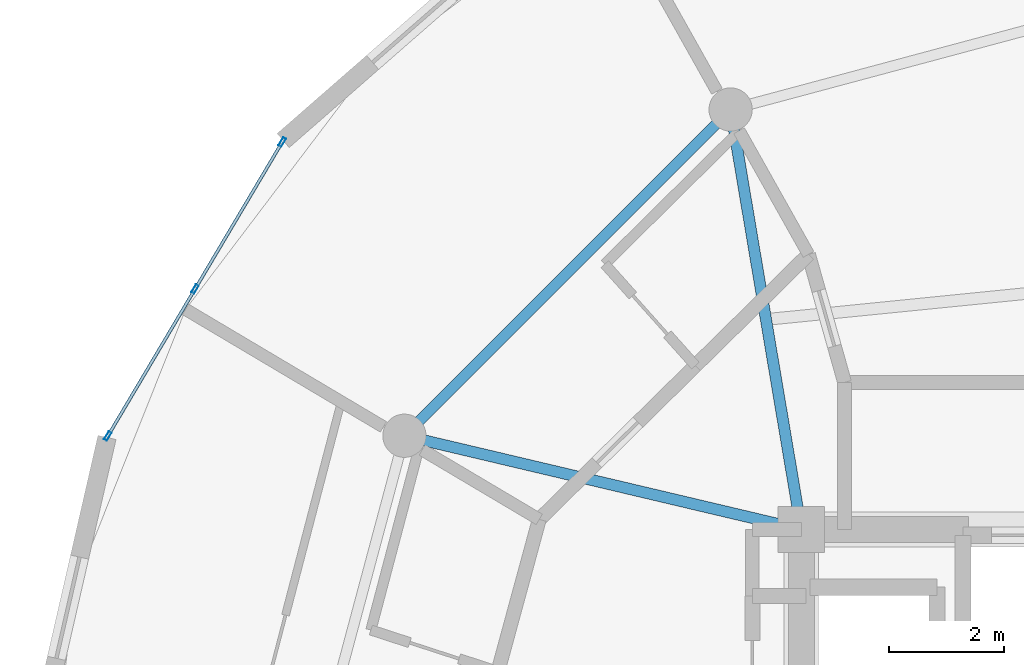
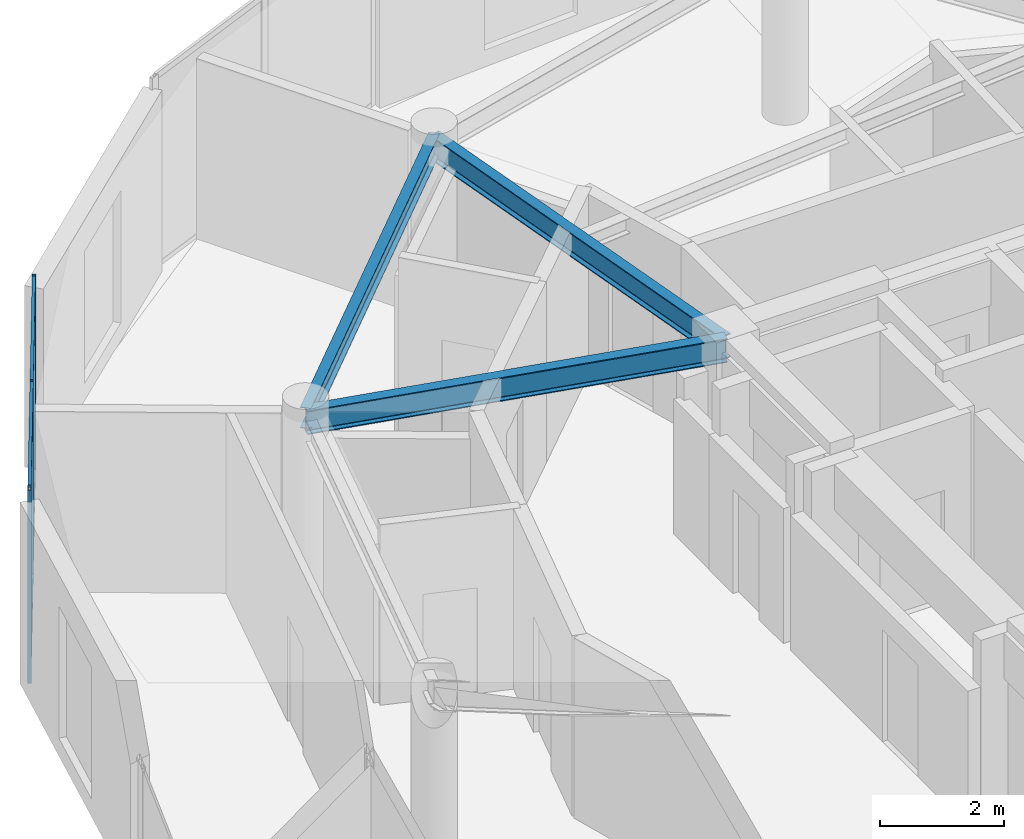
# One storey, part 10 of 22: 7 members, 3 beams, 1 element without a shape of its own.
"""IFC4 building model written with IfcOpenShell, lengths in metres."""

import ifcopenshell
import ifcopenshell.guid

model = None  # the IFC model being written
_history = None  # IfcOwnerHistory: only IFC2X3 demands one
_inside = {}  # id of a spatial element -> (the spatial element, [elements in it])
_under = {}  # id of a project, library or spatial element -> (it, [spatial elements below it])
_declared = {}  # id of a project -> (the project, [libraries it declares])
_typed = {}  # id of a type object -> (the type object, [elements of that type])
_made_of = {}  # id of a material, layer set ... -> (it, [elements and type objects made of it])


def new_model(schema):
    """Start an empty IFC model of exactly this schema.

    Asked for "IFC4X3", IfcOpenShell would pick the latest addendum, in which some entities
    have other attributes; the version numbers below select the first issue.
    IFC2X3 requires an IfcOwnerHistory on every rooted entity: one is made here for all.
    """
    global model, _history
    if schema == "IFC4X3":
        model = ifcopenshell.file(schema_version=(4, 3, 0, 0))
    else:
        model = ifcopenshell.file(schema=schema)
    _inside.clear()
    _under.clear()
    _declared.clear()
    _typed.clear()
    _made_of.clear()
    _history = None
    if model.schema == "IFC2X3":
        org = make("IfcOrganization", Name="unknown")
        user = make(
            "IfcPersonAndOrganization",
            ThePerson=make("IfcPerson", FamilyName="unknown"),
            TheOrganization=org,
        )
        app = make(
            "IfcApplication",
            ApplicationDeveloper=org,
            Version="unknown",
            ApplicationFullName="unknown",
            ApplicationIdentifier="unknown",
        )
        _history = make(
            "IfcOwnerHistory",
            OwningUser=user,
            OwningApplication=app,
            ChangeAction="ADDED",
            CreationDate=0,
        )
    return model


def make(cls, **values):
    """One entity of the class cls with the attributes given. An attribute that is None is left unset."""
    return model.create_entity(
        cls, **{name: value for name, value in values.items() if value is not None}
    )


def rooted(cls, **values):
    """An entity with a GlobalId (a new one), such as an element, a storey or a relation."""
    return make(cls, GlobalId=ifcopenshell.guid.new(), OwnerHistory=_history, **values)


def si_unit(unit_type, name, prefix=None):
    """IfcSIUnit, for example si_unit("LENGTHUNIT", "METRE", prefix="MILLI")."""
    return make("IfcSIUnit", UnitType=unit_type, Prefix=prefix, Name=name)


def assignment(units):
    """IfcUnitAssignment: the units of a project."""
    return None if units is None else make("IfcUnitAssignment", Units=units)


def point(xyz):
    """IfcCartesianPoint."""
    return None if xyz is None else make("IfcCartesianPoint", Coordinates=xyz)


def direction(xyz):
    """IfcDirection."""
    return None if xyz is None else make("IfcDirection", DirectionRatios=xyz)


def frame(location, z_axis=None, x_axis=None):
    """IfcAxis2Placement3D, a coordinate frame: its origin and axes. An axis left out is left unset."""
    return make(
        "IfcAxis2Placement3D",
        Location=point(location),
        Axis=direction(z_axis),
        RefDirection=direction(x_axis),
    )


def frame_2d(location, x_axis=None):
    """IfcAxis2Placement2D, a coordinate frame in the plane: its origin and x axis."""
    return make(
        "IfcAxis2Placement2D", Location=point(location), RefDirection=direction(x_axis)
    )


def origin():
    """The frame at (0, 0, 0) with its axes left unset."""
    return frame((0.0, 0.0, 0.0))


def origin_2d():
    """The frame at (0, 0) in the plane with its x axis left unset."""
    return frame_2d((0.0, 0.0))


def place(relative_to, where):
    """IfcLocalPlacement: puts the frame where relative to a parent placement (None: the world)."""
    return make(
        "IfcLocalPlacement", PlacementRelTo=relative_to, RelativePlacement=where
    )


def context(
    kind, dimensions, precision=None, world=None, true_north=None, identifier=None
):
    """IfcGeometricRepresentationContext, for example the 3D "Model" context."""
    return make(
        "IfcGeometricRepresentationContext",
        ContextIdentifier=identifier,
        ContextType=kind,
        CoordinateSpaceDimension=dimensions,
        Precision=precision,
        WorldCoordinateSystem=world,
        TrueNorth=true_north,
    )


def subcontext(parent, identifier, kind, view, scale=None):
    """IfcGeometricRepresentationSubContext, for example "Body" below "Model"."""
    return make(
        "IfcGeometricRepresentationSubContext",
        ContextIdentifier=identifier,
        ContextType=kind,
        ParentContext=parent,
        TargetScale=scale,
        TargetView=view,
    )


def project(units=None, contexts=None):
    """IfcProject with its units and contexts."""
    return rooted(
        "IfcProject",
        Name="project",
        RepresentationContexts=contexts,
        UnitsInContext=assignment(units),
    )


def spatial(cls, under=None, at=None, **own):
    """A site, building, storey or space (cls), placed at a placement, below another one or the project."""
    s = rooted(cls, ObjectPlacement=at, **own)
    if under is not None:
        _under.setdefault(under.id(), (under, []))[1].append(s)
    return s


def profile(cls, at=None, kind="AREA", **sizes):
    """A parametric profile (cls). Its sizes go by their IFC names, for example OverallWidth=200.0."""
    return make(cls, ProfileType=kind, Position=at, **sizes)


def hollow_rectangle(**sizes):
    """IfcRectangleHollowProfileDef."""
    return profile("IfcRectangleHollowProfileDef", **sizes)


def i_section(**sizes):
    """IfcIShapeProfileDef."""
    return profile("IfcIShapeProfileDef", **sizes)


def extrude(swept, where, along, depth):
    """IfcExtrudedAreaSolid: the profile swept, set in the frame where, extruded along a direction by depth."""
    return make(
        "IfcExtrudedAreaSolid",
        SweptArea=swept,
        Position=where,
        ExtrudedDirection=direction(along),
        Depth=depth,
    )


def shape(context_of_items, identifier, shape_type, items):
    """IfcShapeRepresentation: the items that make up one representation, for example the "Body"."""
    return make(
        "IfcShapeRepresentation",
        ContextOfItems=context_of_items,
        RepresentationIdentifier=identifier,
        RepresentationType=shape_type,
        Items=items,
    )


def source(mapping_origin, context_of_items, identifier, shape_type, items):
    """IfcRepresentationMap: a shape defined once, which mapped items show again and again."""
    return make(
        "IfcRepresentationMap",
        MappingOrigin=mapping_origin,
        MappedRepresentation=shape(context_of_items, identifier, shape_type, items),
    )


def transform(
    local_origin,
    x_axis=None,
    y_axis=None,
    z_axis=None,
    scale=None,
    scale2=None,
    scale3=None,
    uniform=True,
):
    """IfcCartesianTransformationOperator3D, or its non-uniform kind. x_axis, y_axis, z_axis: its Axis1, 2, 3."""
    if uniform:
        return make(
            "IfcCartesianTransformationOperator3D",
            Axis1=direction(x_axis),
            Axis2=direction(y_axis),
            LocalOrigin=point(local_origin),
            Scale=scale,
            Axis3=direction(z_axis),
        )
    return make(
        "IfcCartesianTransformationOperator3DnonUniform",
        Axis1=direction(x_axis),
        Axis2=direction(y_axis),
        LocalOrigin=point(local_origin),
        Scale=scale,
        Axis3=direction(z_axis),
        Scale2=scale2,
        Scale3=scale3,
    )


def mapped(mapping_source, mapping_target):
    """IfcMappedItem: shows the shape of a source again, moved by a transform."""
    return make(
        "IfcMappedItem", MappingSource=mapping_source, MappingTarget=mapping_target
    )


def material(Name=None, Category=None):
    """IfcMaterial."""
    return make("IfcMaterial", Name=Name, Category=Category)


def layer(
    of_material, thickness, ventilated=None, Name=None, Category=None, Priority=None
):
    """IfcMaterialLayer: one layer of a wall or slab, of a material (None: an air gap)."""
    return make(
        "IfcMaterialLayer",
        Material=of_material,
        LayerThickness=thickness,
        IsVentilated=ventilated,
        Name=Name,
        Category=Category,
        Priority=Priority,
    )


def layer_set(layers, Name=None):
    """IfcMaterialLayerSet."""
    return make("IfcMaterialLayerSet", MaterialLayers=layers, LayerSetName=Name)


def material_profile(
    of_material, cross_section, Name=None, Category=None, Priority=None
):
    """IfcMaterialProfile: a cross section and its material."""
    return make(
        "IfcMaterialProfile",
        Name=Name,
        Material=of_material,
        Profile=cross_section,
        Priority=Priority,
        Category=Category,
    )


def profile_set(profiles, Name=None, composite=None):
    """IfcMaterialProfileSet."""
    return make(
        "IfcMaterialProfileSet",
        Name=Name,
        MaterialProfiles=profiles,
        CompositeProfile=composite,
    )


def made_of(thing, what):
    """Note that an element or type object is made of a material, layer set ...; save() writes the relation."""
    if what is not None:
        _made_of.setdefault(what.id(), (what, []))[1].append(thing)
    return thing


def type_object(cls, material=None, **own):
    """A type object (cls), such as IfcWallType, which elements share."""
    return made_of(rooted(cls, **own), material)


def element(
    cls,
    number,
    at=None,
    inside=None,
    cuts=None,
    type_object=None,
    material=None,
    context=None,
    identifier="Body",
    shape_type=None,
    held_by="IfcProductDefinitionShape",
    body=None,
    shapes=None,
    **own,
):
    """One element of the class cls, such as IfcWall. Its Tag is "e" and its number.

    at: its placement. inside: the storey or other place that contains it. cuts: it is an
    opening in that element (IfcRelVoidsElement). A single representation is given by context,
    identifier, shape_type and body (its items); several are given by shapes. held_by: the class
    of the entity that holds the representations. save() writes the other relations.
    """
    e = rooted(cls, Tag="e%d" % number, ObjectPlacement=at, **own)
    if body is not None:
        shapes = [shape(context, identifier, shape_type, body)]
    if shapes is not None:
        e.Representation = make(held_by, Representations=shapes)
    if inside is not None:
        _inside.setdefault(inside.id(), (inside, []))[1].append(e)
    if cuts is not None:
        rooted(
            "IfcRelVoidsElement", RelatingBuildingElement=cuts, RelatedOpeningElement=e
        )
    if type_object is not None:
        _typed.setdefault(type_object.id(), (type_object, []))[1].append(e)
    return made_of(e, material)


def aggregate(whole, parts):
    """IfcRelAggregates: a whole, such as a stair, and the parts it consists of."""
    return rooted("IfcRelAggregates", RelatingObject=whole, RelatedObjects=parts)


def save(model, path):
    """Write the relations noted so far, then the file.

    IfcRelAggregates (storeys below a building ...), IfcRelContainedInSpatialStructure (elements
    in a storey), IfcRelDefinesByType, IfcRelAssociatesMaterial and IfcRelDeclares: one each for
    every whole, place, type object, material and project.
    """
    for whole, parts in _under.values():
        aggregate(whole, parts)
    for where, things in _inside.values():
        rooted(
            "IfcRelContainedInSpatialStructure",
            RelatedElements=things,
            RelatingStructure=where,
        )
    for kind, things in _typed.values():
        rooted("IfcRelDefinesByType", RelatedObjects=things, RelatingType=kind)
    for what, things in _made_of.values():
        rooted("IfcRelAssociatesMaterial", RelatedObjects=things, RelatingMaterial=what)
    for by, libraries in _declared.values():
        rooted("IfcRelDeclares", RelatingContext=by, RelatedDefinitions=libraries)
    model.write(path)


model = new_model("IFC4")

# Units and contexts
model_context = context("Model", 3, precision=1e-05, world=origin(), true_north=direction((0.0, 1.0)))
body_context = subcontext(model_context, "Body", "Model", "MODEL_VIEW")
ifc_project = project(units=[si_unit("LENGTHUNIT", "METRE"), si_unit("AREAUNIT", "SQUARE_METRE"), si_unit("VOLUMEUNIT", "CUBIC_METRE"), si_unit("PLANEANGLEUNIT", "RADIAN"), si_unit("MASSUNIT", "GRAM", prefix="KILO")], contexts=[model_context])

# Site, building, storey
site_placement = place(None, origin())
site = spatial("IfcSite", under=ifc_project, at=site_placement, CompositionType="ELEMENT")
building_placement = place(site_placement, origin())
building = spatial("IfcBuilding", under=site, at=building_placement, Name="Solvirekh Grand Hotel", CompositionType="ELEMENT")
storey_placement = place(building_placement, frame((0.0, 0.0, 243.0)))
storey = spatial("IfcBuildingStorey", under=building, at=storey_placement, Name="L63", CompositionType="ELEMENT", Elevation=243.0)

# Beams
ifc_material_1 = material(Name="Steel S355", Category="steel")
ifc_material_profile_1 = material_profile(ifc_material_1, i_section(OverallWidth=0.194091796875, OverallDepth=0.468994140625, WebThickness=0.010986328125, FlangeThickness=0.01904296875, FilletRadius=0.012939453125, at=origin_2d()), Name="W460X106")
ifc_profile_set_1 = profile_set([ifc_material_profile_1], Name="Steel S355")
beam_type_1 = type_object("IfcBeamType", Name="Beam_Radial_W460H", PredefinedType="BEAM", material=ifc_profile_set_1)
beam_1_placement = place(storey_placement, frame((-6.5, 6.10009765625, 3.3349609375), z_axis=(-0.165954049106, 0.986133486697, 0.0), x_axis=(-0.986133486697, -0.165954049106, 0.0)))
element("IfcBeam", 1, at=beam_1_placement, inside=storey, type_object=beam_type_1, Name="L63 radial floor beam R05", PredefinedType="BEAM", context=body_context, shape_type="SweptSolid", body=[
    extrude(i_section(OverallWidth=0.194091796875, OverallDepth=0.468994140625, WebThickness=0.010986328125, FlangeThickness=0.01904296875, FilletRadius=0.012939453125, at=origin_2d()), origin(), (0.0, 0.0, 1.0), 7.382080078125),
])
beam_2_placement = place(storey_placement, frame((-6.5, 6.10009765625, 3.3349609375), z_axis=(-0.973221147544, 0.229870828888, 0.0), x_axis=(-0.229870828888, -0.973221147544, 0.0)))
element("IfcBeam", 2, at=beam_2_placement, inside=storey, type_object=beam_type_1, Name="L63 radial floor beam R06", PredefinedType="BEAM", context=body_context, shape_type="SweptSolid", body=[
    extrude(i_section(OverallWidth=0.194091796875, OverallDepth=0.468994140625, WebThickness=0.010986328125, FlangeThickness=0.01904296875, FilletRadius=0.012939453125, at=origin_2d()), origin(), (0.0, 0.0, 1.0), 7.069091796875),
])
ifc_material_profile_2 = material_profile(ifc_material_1, i_section(OverallWidth=0.180908203125, OverallDepth=0.4169921875, WebThickness=0.010009765625, FlangeThickness=0.01611328125, FilletRadius=0.011962890625, at=origin_2d()), Name="W410X85")
ifc_profile_set_2 = profile_set([ifc_material_profile_2], Name="Steel S355")
beam_type_2 = type_object("IfcBeamType", Name="Spandrel_Ring_W410", PredefinedType="SPANDREL", material=ifc_profile_set_2)
beam_3_placement = place(storey_placement, frame((-7.72509765625, 13.3798828125, 3.362060546875), z_axis=(-0.707106781187, -0.707106781187, 0.0), x_axis=(0.707106781187, -0.707106781187, 0.0)))
element("IfcBeam", 3, at=beam_3_placement, inside=storey, type_object=beam_type_2, Name="L63 perimeter spandrel beam 5", PredefinedType="SPANDREL", context=body_context, shape_type="SweptSolid", body=[
    extrude(i_section(OverallWidth=0.180908203125, OverallDepth=0.4169921875, WebThickness=0.010009765625, FlangeThickness=0.01611328125, FilletRadius=0.011962890625, at=origin_2d()), origin(), (0.0, 0.0, 1.0), 7.9970703125),
])

# Curtain wall, members
ifc_material_2 = material(Name="Anodized Bronze Aluminium 6063-T6", Category="aluminium")
ifc_layer = layer(ifc_material_2, 0.159912109375)
ifc_layer_set = layer_set([ifc_layer], Name="Anodized Bronze Aluminium 6063-T6")
curtain_wall_type = type_object("IfcCurtainWallType", Name="CW_Sys4_HighZoneFlushBronzeCW", PredefinedType="NOTDEFINED", material=ifc_layer_set)
curtain_wall_placement = place(storey_placement, origin())
curtain_wall = element("IfcCurtainWall", 4, at=curtain_wall_placement, inside=storey, type_object=curtain_wall_type, Name="L63 unitised bronze-glass curtain wall CW-L63-C13", PredefinedType="NOTDEFINED")
ifc_material_profile_3 = material_profile(ifc_material_2, hollow_rectangle(XDim=0.06005859375, YDim=0.159912109375, WallThickness=0.0048828125, at=origin_2d()), Name="ALU RHS 160X60X5")
ifc_profile_set_3 = profile_set([ifc_material_profile_3], Name="Anodized Bronze Aluminium 6063-T6")
member_type_1 = type_object("IfcMemberType", Name="CWMullion_Sys4", PredefinedType="MULLION", material=ifc_profile_set_3)
shared_shape_1 = source(origin(), body_context, "Body", "SweptSolid", [
    extrude(hollow_rectangle(XDim=0.06005859375, YDim=0.159912109375, WallThickness=0.0048828125, at=origin_2d()), origin(), (0.0, 0.0, 1.0), 3.800048828125),
])
member_1_placement = place(storey_placement, frame((-15.497314453125, 12.816162109375, 0.0), z_axis=(0.0, 0.0, 1.0), x_axis=(0.860003699356, -0.5102877983, 0.0)))
member_1 = element("IfcMember", 5, at=member_1_placement, type_object=member_type_1, Name="U04 mullion 1", PredefinedType="MULLION", context=body_context, shape_type="MappedRepresentation", body=[
    mapped(shared_shape_1, transform((0.0, 0.0, 0.0), x_axis=(1.0, 0.0, 0.0), y_axis=(0.0, 1.0, 0.0), z_axis=(0.0, 0.0, 1.0), scale=1.0)),
])
member_2_placement = place(storey_placement, frame((-17.009033203125, 10.2685546875, 0.0), z_axis=(0.0, 0.0, 1.0), x_axis=(0.860003699356, -0.5102877983, 0.0)))
member_2 = element("IfcMember", 6, at=member_2_placement, type_object=member_type_1, Name="U04 mullion 2", PredefinedType="MULLION", context=body_context, shape_type="MappedRepresentation", body=[
    mapped(shared_shape_1, transform((0.0, 0.0, 0.0), x_axis=(1.0, 0.0, 0.0), y_axis=(0.0, 1.0, 0.0), z_axis=(0.0, 0.0, 1.0), scale=1.0)),
])
member_3_placement = place(storey_placement, frame((-18.520751953125, 7.720703125, 0.0), z_axis=(0.0, 0.0, 1.0), x_axis=(0.860003699356, -0.5102877983, 0.0)))
member_3 = element("IfcMember", 7, at=member_3_placement, type_object=member_type_1, Name="U04 mullion 3", PredefinedType="MULLION", context=body_context, shape_type="MappedRepresentation", body=[
    mapped(shared_shape_1, transform((0.0, 0.0, 0.0), x_axis=(1.0, 0.0, 0.0), y_axis=(0.0, 1.0, 0.0), z_axis=(0.0, 0.0, 1.0), scale=1.0)),
])
ifc_material_profile_4 = material_profile(ifc_material_2, hollow_rectangle(XDim=0.054931640625, YDim=0.1201171875, WallThickness=0.00390625, at=origin_2d()), Name="ALU RHS 120X55X4")
ifc_profile_set_4 = profile_set([ifc_material_profile_4], Name="Anodized Bronze Aluminium 6063-T6")
member_type_2 = type_object("IfcMemberType", Name="CWTransom_Sys4", PredefinedType="USERDEFINED", material=ifc_profile_set_4)
shared_shape_2 = source(origin(), body_context, "Body", "SweptSolid", [
    extrude(hollow_rectangle(XDim=0.054931640625, YDim=0.1201171875, WallThickness=0.00390625, at=origin_2d()), origin(), (0.0, 0.0, 1.0), 2.90234375),
])
member_4_placement = place(storey_placement, frame((-15.5126953125, 12.790283203125, 0.027587890625), z_axis=(-0.510258860658, -0.860020869003, 0.0), x_axis=(0.860020869003, -0.510258860658, 0.0)))
member_4 = element("IfcMember", 8, at=member_4_placement, type_object=member_type_2, Name="U04 transom 1.1", ObjectType="TRANSOM", PredefinedType="USERDEFINED", context=body_context, shape_type="MappedRepresentation", body=[
    mapped(shared_shape_2, transform((0.0, 0.0, 0.0), x_axis=(1.0, 0.0, 0.0), y_axis=(0.0, 1.0, 0.0), z_axis=(0.0, 0.0, 1.0), scale=1.0)),
])
member_5_placement = place(storey_placement, frame((-15.5126953125, 12.790283203125, 3.7724609375), z_axis=(-0.510258860658, -0.860020869003, 0.0), x_axis=(0.860020869003, -0.510258860658, 0.0)))
member_5 = element("IfcMember", 9, at=member_5_placement, type_object=member_type_2, Name="U04 transom 1.2", ObjectType="TRANSOM", PredefinedType="USERDEFINED", context=body_context, shape_type="MappedRepresentation", body=[
    mapped(shared_shape_2, transform((0.0, 0.0, 0.0), x_axis=(1.0, 0.0, 0.0), y_axis=(0.0, 1.0, 0.0), z_axis=(0.0, 0.0, 1.0), scale=1.0)),
])
member_6_placement = place(storey_placement, frame((-17.0244140625, 10.24267578125, 0.027587890625), z_axis=(-0.510258860658, -0.860020869003, 0.0), x_axis=(0.860020869003, -0.510258860658, 0.0)))
member_6 = element("IfcMember", 10, at=member_6_placement, type_object=member_type_2, Name="U04 transom 2.1", ObjectType="TRANSOM", PredefinedType="USERDEFINED", context=body_context, shape_type="MappedRepresentation", body=[
    mapped(shared_shape_2, transform((0.0, 0.0, 0.0), x_axis=(1.0, 0.0, 0.0), y_axis=(0.0, 1.0, 0.0), z_axis=(0.0, 0.0, 1.0), scale=1.0)),
])
member_7_placement = place(storey_placement, frame((-17.0244140625, 10.24267578125, 3.7724609375), z_axis=(-0.510258860658, -0.860020869003, 0.0), x_axis=(0.860020869003, -0.510258860658, 0.0)))
member_7 = element("IfcMember", 11, at=member_7_placement, type_object=member_type_2, Name="U04 transom 2.2", ObjectType="TRANSOM", PredefinedType="USERDEFINED", context=body_context, shape_type="MappedRepresentation", body=[
    mapped(shared_shape_2, transform((0.0, 0.0, 0.0), x_axis=(1.0, 0.0, 0.0), y_axis=(0.0, 1.0, 0.0), z_axis=(0.0, 0.0, 1.0), scale=1.0)),
])
aggregate(curtain_wall, [member_1, member_2, member_3, member_4, member_5, member_6, member_7])

save(model, "model.ifc")
